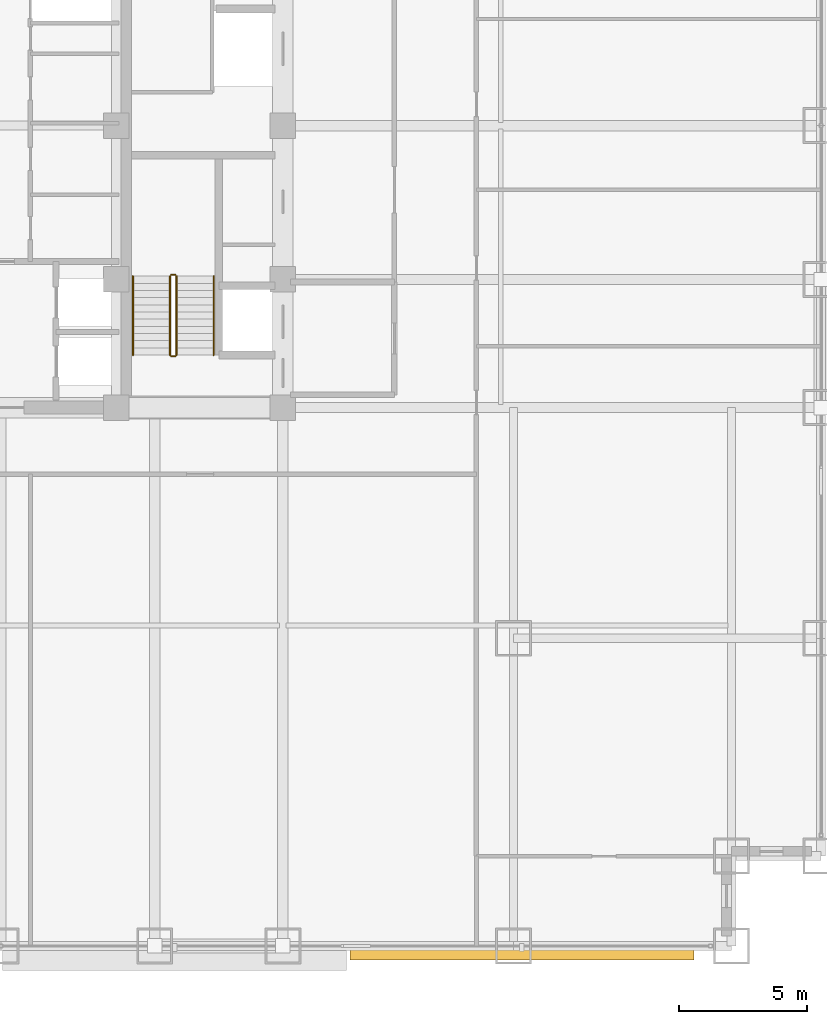
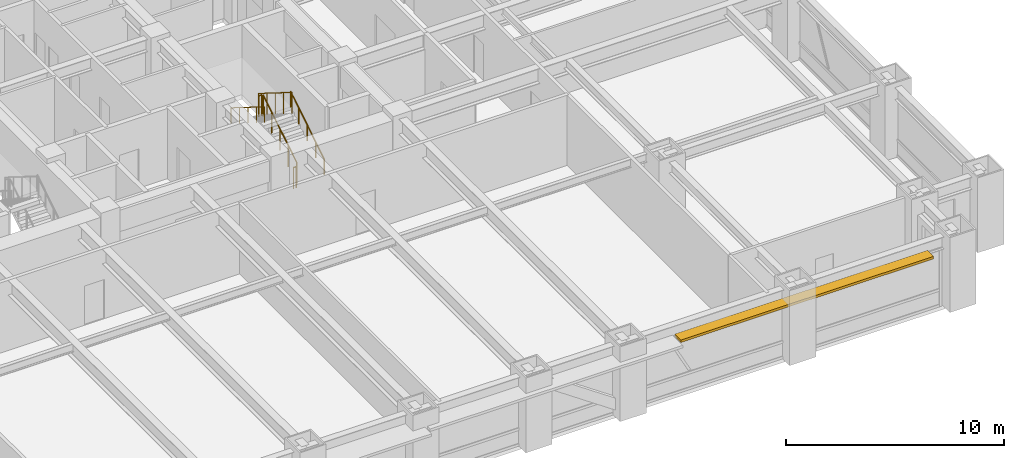
# One storey, part 30 of 32: 6 railings, 1 shading device.
"""IFC4 building model written with IfcOpenShell, lengths in metres."""

import ifcopenshell
import ifcopenshell.guid

model = None  # the IFC model being written
_history = None  # IfcOwnerHistory: only IFC2X3 demands one
_inside = {}  # id of a spatial element -> (the spatial element, [elements in it])
_under = {}  # id of a project, library or spatial element -> (it, [spatial elements below it])
_declared = {}  # id of a project -> (the project, [libraries it declares])
_typed = {}  # id of a type object -> (the type object, [elements of that type])
_made_of = {}  # id of a material, layer set ... -> (it, [elements and type objects made of it])


def new_model(schema):
    """Start an empty IFC model of exactly this schema.

    Asked for "IFC4X3", IfcOpenShell would pick the latest addendum, in which some entities
    have other attributes; the version numbers below select the first issue.
    IFC2X3 requires an IfcOwnerHistory on every rooted entity: one is made here for all.
    """
    global model, _history
    if schema == "IFC4X3":
        model = ifcopenshell.file(schema_version=(4, 3, 0, 0))
    else:
        model = ifcopenshell.file(schema=schema)
    _inside.clear()
    _under.clear()
    _declared.clear()
    _typed.clear()
    _made_of.clear()
    _history = None
    if model.schema == "IFC2X3":
        org = make("IfcOrganization", Name="unknown")
        user = make(
            "IfcPersonAndOrganization",
            ThePerson=make("IfcPerson", FamilyName="unknown"),
            TheOrganization=org,
        )
        app = make(
            "IfcApplication",
            ApplicationDeveloper=org,
            Version="unknown",
            ApplicationFullName="unknown",
            ApplicationIdentifier="unknown",
        )
        _history = make(
            "IfcOwnerHistory",
            OwningUser=user,
            OwningApplication=app,
            ChangeAction="ADDED",
            CreationDate=0,
        )
    return model


def make(cls, **values):
    """One entity of the class cls with the attributes given. An attribute that is None is left unset."""
    return model.create_entity(
        cls, **{name: value for name, value in values.items() if value is not None}
    )


def rooted(cls, **values):
    """An entity with a GlobalId (a new one), such as an element, a storey or a relation."""
    return make(cls, GlobalId=ifcopenshell.guid.new(), OwnerHistory=_history, **values)


def si_unit(unit_type, name, prefix=None):
    """IfcSIUnit, for example si_unit("LENGTHUNIT", "METRE", prefix="MILLI")."""
    return make("IfcSIUnit", UnitType=unit_type, Prefix=prefix, Name=name)


def assignment(units):
    """IfcUnitAssignment: the units of a project."""
    return None if units is None else make("IfcUnitAssignment", Units=units)


def point(xyz):
    """IfcCartesianPoint."""
    return None if xyz is None else make("IfcCartesianPoint", Coordinates=xyz)


def direction(xyz):
    """IfcDirection."""
    return None if xyz is None else make("IfcDirection", DirectionRatios=xyz)


def frame(location, z_axis=None, x_axis=None):
    """IfcAxis2Placement3D, a coordinate frame: its origin and axes. An axis left out is left unset."""
    return make(
        "IfcAxis2Placement3D",
        Location=point(location),
        Axis=direction(z_axis),
        RefDirection=direction(x_axis),
    )


def frame_2d(location, x_axis=None):
    """IfcAxis2Placement2D, a coordinate frame in the plane: its origin and x axis."""
    return make(
        "IfcAxis2Placement2D", Location=point(location), RefDirection=direction(x_axis)
    )


def origin():
    """The frame at (0, 0, 0) with its axes left unset."""
    return frame((0.0, 0.0, 0.0))


def origin_2d():
    """The frame at (0, 0) in the plane with its x axis left unset."""
    return frame_2d((0.0, 0.0))


def place(relative_to, where):
    """IfcLocalPlacement: puts the frame where relative to a parent placement (None: the world)."""
    return make(
        "IfcLocalPlacement", PlacementRelTo=relative_to, RelativePlacement=where
    )


def context(
    kind, dimensions, precision=None, world=None, true_north=None, identifier=None
):
    """IfcGeometricRepresentationContext, for example the 3D "Model" context."""
    return make(
        "IfcGeometricRepresentationContext",
        ContextIdentifier=identifier,
        ContextType=kind,
        CoordinateSpaceDimension=dimensions,
        Precision=precision,
        WorldCoordinateSystem=world,
        TrueNorth=true_north,
    )


def subcontext(parent, identifier, kind, view, scale=None):
    """IfcGeometricRepresentationSubContext, for example "Body" below "Model"."""
    return make(
        "IfcGeometricRepresentationSubContext",
        ContextIdentifier=identifier,
        ContextType=kind,
        ParentContext=parent,
        TargetScale=scale,
        TargetView=view,
    )


def project(units=None, contexts=None):
    """IfcProject with its units and contexts."""
    return rooted(
        "IfcProject",
        Name="project",
        RepresentationContexts=contexts,
        UnitsInContext=assignment(units),
    )


def spatial(cls, under=None, at=None, **own):
    """A site, building, storey or space (cls), placed at a placement, below another one or the project."""
    s = rooted(cls, ObjectPlacement=at, **own)
    if under is not None:
        _under.setdefault(under.id(), (under, []))[1].append(s)
    return s


def profile(cls, at=None, kind="AREA", **sizes):
    """A parametric profile (cls). Its sizes go by their IFC names, for example OverallWidth=200.0."""
    return make(cls, ProfileType=kind, Position=at, **sizes)


def rectangle(**sizes):
    """IfcRectangleProfileDef."""
    return profile("IfcRectangleProfileDef", **sizes)


def circle(**sizes):
    """IfcCircleProfileDef."""
    return profile("IfcCircleProfileDef", **sizes)


def extrude(swept, where, along, depth):
    """IfcExtrudedAreaSolid: the profile swept, set in the frame where, extruded along a direction by depth."""
    return make(
        "IfcExtrudedAreaSolid",
        SweptArea=swept,
        Position=where,
        ExtrudedDirection=direction(along),
        Depth=depth,
    )


def shape(context_of_items, identifier, shape_type, items):
    """IfcShapeRepresentation: the items that make up one representation, for example the "Body"."""
    return make(
        "IfcShapeRepresentation",
        ContextOfItems=context_of_items,
        RepresentationIdentifier=identifier,
        RepresentationType=shape_type,
        Items=items,
    )


def source(mapping_origin, context_of_items, identifier, shape_type, items):
    """IfcRepresentationMap: a shape defined once, which mapped items show again and again."""
    return make(
        "IfcRepresentationMap",
        MappingOrigin=mapping_origin,
        MappedRepresentation=shape(context_of_items, identifier, shape_type, items),
    )


def transform(
    local_origin,
    x_axis=None,
    y_axis=None,
    z_axis=None,
    scale=None,
    scale2=None,
    scale3=None,
    uniform=True,
):
    """IfcCartesianTransformationOperator3D, or its non-uniform kind. x_axis, y_axis, z_axis: its Axis1, 2, 3."""
    if uniform:
        return make(
            "IfcCartesianTransformationOperator3D",
            Axis1=direction(x_axis),
            Axis2=direction(y_axis),
            LocalOrigin=point(local_origin),
            Scale=scale,
            Axis3=direction(z_axis),
        )
    return make(
        "IfcCartesianTransformationOperator3DnonUniform",
        Axis1=direction(x_axis),
        Axis2=direction(y_axis),
        LocalOrigin=point(local_origin),
        Scale=scale,
        Axis3=direction(z_axis),
        Scale2=scale2,
        Scale3=scale3,
    )


def mapped(mapping_source, mapping_target):
    """IfcMappedItem: shows the shape of a source again, moved by a transform."""
    return make(
        "IfcMappedItem", MappingSource=mapping_source, MappingTarget=mapping_target
    )


def material(Name=None, Category=None):
    """IfcMaterial."""
    return make("IfcMaterial", Name=Name, Category=Category)


def layer(
    of_material, thickness, ventilated=None, Name=None, Category=None, Priority=None
):
    """IfcMaterialLayer: one layer of a wall or slab, of a material (None: an air gap)."""
    return make(
        "IfcMaterialLayer",
        Material=of_material,
        LayerThickness=thickness,
        IsVentilated=ventilated,
        Name=Name,
        Category=Category,
        Priority=Priority,
    )


def layer_set(layers, Name=None):
    """IfcMaterialLayerSet."""
    return make("IfcMaterialLayerSet", MaterialLayers=layers, LayerSetName=Name)


def made_of(thing, what):
    """Note that an element or type object is made of a material, layer set ...; save() writes the relation."""
    if what is not None:
        _made_of.setdefault(what.id(), (what, []))[1].append(thing)
    return thing


def type_object(cls, material=None, **own):
    """A type object (cls), such as IfcWallType, which elements share."""
    return made_of(rooted(cls, **own), material)


def element(
    cls,
    number,
    at=None,
    inside=None,
    cuts=None,
    type_object=None,
    material=None,
    context=None,
    identifier="Body",
    shape_type=None,
    held_by="IfcProductDefinitionShape",
    body=None,
    shapes=None,
    **own,
):
    """One element of the class cls, such as IfcWall. Its Tag is "e" and its number.

    at: its placement. inside: the storey or other place that contains it. cuts: it is an
    opening in that element (IfcRelVoidsElement). A single representation is given by context,
    identifier, shape_type and body (its items); several are given by shapes. held_by: the class
    of the entity that holds the representations. save() writes the other relations.
    """
    e = rooted(cls, Tag="e%d" % number, ObjectPlacement=at, **own)
    if body is not None:
        shapes = [shape(context, identifier, shape_type, body)]
    if shapes is not None:
        e.Representation = make(held_by, Representations=shapes)
    if inside is not None:
        _inside.setdefault(inside.id(), (inside, []))[1].append(e)
    if cuts is not None:
        rooted(
            "IfcRelVoidsElement", RelatingBuildingElement=cuts, RelatedOpeningElement=e
        )
    if type_object is not None:
        _typed.setdefault(type_object.id(), (type_object, []))[1].append(e)
    return made_of(e, material)


def aggregate(whole, parts):
    """IfcRelAggregates: a whole, such as a stair, and the parts it consists of."""
    return rooted("IfcRelAggregates", RelatingObject=whole, RelatedObjects=parts)


def save(model, path):
    """Write the relations noted so far, then the file.

    IfcRelAggregates (storeys below a building ...), IfcRelContainedInSpatialStructure (elements
    in a storey), IfcRelDefinesByType, IfcRelAssociatesMaterial and IfcRelDeclares: one each for
    every whole, place, type object, material and project.
    """
    for whole, parts in _under.values():
        aggregate(whole, parts)
    for where, things in _inside.values():
        rooted(
            "IfcRelContainedInSpatialStructure",
            RelatedElements=things,
            RelatingStructure=where,
        )
    for kind, things in _typed.values():
        rooted("IfcRelDefinesByType", RelatedObjects=things, RelatingType=kind)
    for what, things in _made_of.values():
        rooted("IfcRelAssociatesMaterial", RelatedObjects=things, RelatingMaterial=what)
    for by, libraries in _declared.values():
        rooted("IfcRelDeclares", RelatingContext=by, RelatedDefinitions=libraries)
    model.write(path)


model = new_model("IFC4")

# Units and contexts
model_context = context("Model", 3, precision=1e-05, world=origin(), true_north=direction((0.0, 1.0)))
body_context = subcontext(model_context, "Body", "Model", "MODEL_VIEW")
ifc_project = project(units=[si_unit("LENGTHUNIT", "METRE"), si_unit("AREAUNIT", "SQUARE_METRE"), si_unit("VOLUMEUNIT", "CUBIC_METRE"), si_unit("PLANEANGLEUNIT", "RADIAN"), si_unit("MASSUNIT", "GRAM", prefix="KILO")], contexts=[model_context])

# Site, building, storey
site_placement = place(None, origin())
site = spatial("IfcSite", under=ifc_project, at=site_placement, CompositionType="ELEMENT")
building_placement = place(site_placement, origin())
building = spatial("IfcBuilding", under=site, at=building_placement, Name="Khorayat Bourse Tower", CompositionType="ELEMENT")
storey_placement = place(building_placement, frame((0.0, 0.0, 70.39990234375)))
storey = spatial("IfcBuildingStorey", under=building, at=storey_placement, Name="L15", CompositionType="ELEMENT", Elevation=70.39990234375)

# Shading device
ifc_material_1 = material(Name="Precast concrete C45/55", Category="concrete")
ifc_layer = layer(ifc_material_1, 0.139892578125)
ifc_layer_set = layer_set([ifc_layer], Name="Precast concrete C45/55")
shading_device_type = type_object("IfcShadingDeviceType", Name="SHD-WAVE-TRAY-B", PredefinedType="USERDEFINED", material=ifc_layer_set)
shared_shape_1 = source(origin(), body_context, "Body", "SweptSolid", [
    extrude(rectangle(XDim=13.409912109375, YDim=0.56689453125, at=origin_2d()), origin(), (0.0, 0.0, 1.0), 0.139892578125),
])
shading_device_placement = place(storey_placement, frame((20.324951171875, -32.263427734375, 3.18994140625), z_axis=(0.0, 0.0, 1.0), x_axis=(1.0, 0.0, 0.0)))
element("IfcShadingDevice", 1, at=shading_device_placement, inside=storey, type_object=shading_device_type, Name="L15 Sinusoidal Wave Sunshade Tray S-4", ObjectType="SUNSHADE", PredefinedType="USERDEFINED", context=body_context, shape_type="MappedRepresentation", body=[
    mapped(shared_shape_1, transform((0.0, 0.0, 0.0), scale=1.0)),
])

# Railings
ifc_material_2 = material(Name="Powder-coated steel balustrade", Category="steel")
railing_type_1 = type_object("IfcRailingType", Name="RLG-GUARD-1200", PredefinedType="GUARDRAIL", material=ifc_material_2)
shared_shape_2 = source(origin(), body_context, "Body", "SweptSolid", [
    extrude(circle(Radius=0.02392578125, at=origin_2d()), frame((0.0, 0.0, 1.17578125), z_axis=(-1.0, 0.0, 0.0), x_axis=(0.0, -1.0, 0.0)), (0.0, 0.0, 1.0), 0.150146484375),
    extrude(circle(Radius=0.02099609375, at=origin_2d()), origin(), (0.0, 0.0, 1.0), 1.15185546875),
    extrude(circle(Radius=0.02099609375, at=origin_2d()), frame((-0.150146484375, 0.0, 0.0)), (0.0, 0.0, 1.0), 1.15185546875),
])
for number, where, name in (
    (2, (6.800048828125, -5.820068359375, 2.10009765625), "L15 ST-3 stair guard 2"),
    (3, (6.800048828125, -9.0, 0.0), "L15 ST-3 stair guard 4"),
):
    element("IfcRailing", number, at=place(storey_placement, frame(where)), inside=storey, type_object=railing_type_1, Name=name, PredefinedType="GUARDRAIL", context=body_context, shape_type="MappedRepresentation", body=[
        mapped(shared_shape_2, transform((0.0, 0.0, 0.0), scale=1.0)),
    ])
shared_shape_3 = source(origin(), body_context, "Body", "SweptSolid", [
    extrude(circle(Radius=0.02392578125, at=origin_2d()), frame((0.0, 0.0, 1.17578125), z_axis=(0.0, 0.847979421464, 0.530029150871), x_axis=(-1.0, 0.0, 0.0)), (0.0, 0.0, 1.0), 3.632080078125),
    extrude(circle(Radius=0.02099609375, at=origin_2d()), origin(), (0.0, 0.0, 1.0), 1.15185546875),
    extrude(circle(Radius=0.02099609375, at=origin_2d()), frame((0.0, 0.77001953125, 0.481201171875)), (0.0, 0.0, 1.0), 1.15185546875),
    extrude(circle(Radius=0.02099609375, at=origin_2d()), frame((0.0, 1.5400390625, 0.96240234375)), (0.0, 0.0, 1.0), 1.15185546875),
    extrude(circle(Radius=0.02099609375, at=origin_2d()), frame((0.0, 2.309814453125, 1.44384765625)), (0.0, 0.0, 1.0), 1.15185546875),
    extrude(circle(Radius=0.02099609375, at=origin_2d()), frame((0.0, 3.079833984375, 1.925048828125)), (0.0, 0.0, 1.0), 1.15185546875),
])
railing_1_placement = place(storey_placement, frame((6.85009765625, -8.949951171875, 0.175048828125)))
element("IfcRailing", 4, at=railing_1_placement, inside=storey, type_object=railing_type_1, Name="L15 ST-3 stair guard 1", PredefinedType="GUARDRAIL", context=body_context, shape_type="MappedRepresentation", body=[
    mapped(shared_shape_3, transform((0.0, 0.0, 0.0), scale=1.0)),
])
shared_shape_4 = source(origin(), body_context, "Body", "SweptSolid", [
    extrude(circle(Radius=0.02392578125, at=origin_2d()), frame((0.0, 0.0, 1.17578125), z_axis=(0.0, -0.847979421464, 0.530029150871), x_axis=(1.0, 0.0, 0.0)), (0.0, 0.0, 1.0), 3.632080078125),
    extrude(circle(Radius=0.02099609375, at=origin_2d()), origin(), (0.0, 0.0, 1.0), 1.15185546875),
    extrude(circle(Radius=0.02099609375, at=origin_2d()), frame((0.0, -0.77001953125, 0.481201171875)), (0.0, 0.0, 1.0), 1.15185546875),
    extrude(circle(Radius=0.02099609375, at=origin_2d()), frame((0.0, -1.5400390625, 0.96240234375)), (0.0, 0.0, 1.0), 1.15185546875),
    extrude(circle(Radius=0.02099609375, at=origin_2d()), frame((0.0, -2.309814453125, 1.44384765625)), (0.0, 0.0, 1.0), 1.15185546875),
    extrude(circle(Radius=0.02099609375, at=origin_2d()), frame((0.0, -3.079833984375, 1.925048828125)), (0.0, 0.0, 1.0), 1.15185546875),
])
railing_2_placement = place(storey_placement, frame((6.60009765625, -5.8701171875, 2.275146484375)))
element("IfcRailing", 5, at=railing_2_placement, inside=storey, type_object=railing_type_1, Name="L15 ST-3 stair guard 3", PredefinedType="GUARDRAIL", context=body_context, shape_type="MappedRepresentation", body=[
    mapped(shared_shape_4, transform((0.0, 0.0, 0.0), scale=1.0)),
])
ifc_material_3 = material(Name="Brushed bronze stainless-steel handrail", Category="steel")
railing_type_2 = type_object("IfcRailingType", Name="RLG-HAND-900", PredefinedType="HANDRAIL", material=ifc_material_3)
shared_shape_5 = source(origin(), body_context, "Body", "SweptSolid", [
    extrude(circle(Radius=0.02392578125, at=origin_2d()), frame((0.0, 0.0, 0.8759765625), z_axis=(0.0, 0.847979421464, 0.530029150871), x_axis=(-1.0, 0.0, 0.0)), (0.0, 0.0, 1.0), 3.632080078125),
    extrude(circle(Radius=0.02099609375, at=origin_2d()), origin(), (0.0, 0.0, 1.0), 0.851806640625),
    extrude(circle(Radius=0.02099609375, at=origin_2d()), frame((0.0, 0.77001953125, 0.481201171875)), (0.0, 0.0, 1.0), 0.851806640625),
    extrude(circle(Radius=0.02099609375, at=origin_2d()), frame((0.0, 1.5400390625, 0.96240234375)), (0.0, 0.0, 1.0), 0.851806640625),
    extrude(circle(Radius=0.02099609375, at=origin_2d()), frame((0.0, 2.309814453125, 1.44384765625)), (0.0, 0.0, 1.0), 0.851806640625),
    extrude(circle(Radius=0.02099609375, at=origin_2d()), frame((0.0, 3.079833984375, 1.925048828125)), (0.0, 0.0, 1.0), 0.851806640625),
])
railing_3_placement = place(storey_placement, frame((8.300048828125, -8.949951171875, 0.175048828125)))
element("IfcRailing", 6, at=railing_3_placement, inside=storey, type_object=railing_type_2, Name="L15 ST-3 stair handrail 1", PredefinedType="HANDRAIL", context=body_context, shape_type="MappedRepresentation", body=[
    mapped(shared_shape_5, transform((0.0, 0.0, 0.0), scale=1.0)),
])
shared_shape_6 = source(origin(), body_context, "Body", "SweptSolid", [
    extrude(circle(Radius=0.02392578125, at=origin_2d()), frame((0.0, 0.0, 0.8759765625), z_axis=(0.0, -0.847979421464, 0.530029150871), x_axis=(1.0, 0.0, 0.0)), (0.0, 0.0, 1.0), 3.632080078125),
    extrude(circle(Radius=0.02099609375, at=origin_2d()), origin(), (0.0, 0.0, 1.0), 0.851806640625),
    extrude(circle(Radius=0.02099609375, at=origin_2d()), frame((0.0, -0.77001953125, 0.481201171875)), (0.0, 0.0, 1.0), 0.851806640625),
    extrude(circle(Radius=0.02099609375, at=origin_2d()), frame((0.0, -1.5400390625, 0.96240234375)), (0.0, 0.0, 1.0), 0.851806640625),
    extrude(circle(Radius=0.02099609375, at=origin_2d()), frame((0.0, -2.309814453125, 1.44384765625)), (0.0, 0.0, 1.0), 0.851806640625),
    extrude(circle(Radius=0.02099609375, at=origin_2d()), frame((0.0, -3.079833984375, 1.925048828125)), (0.0, 0.0, 1.0), 0.851806640625),
])
railing_4_placement = place(storey_placement, frame((5.14990234375, -5.8701171875, 2.275146484375)))
element("IfcRailing", 7, at=railing_4_placement, inside=storey, type_object=railing_type_2, Name="L15 ST-3 stair handrail 2", PredefinedType="HANDRAIL", context=body_context, shape_type="MappedRepresentation", body=[
    mapped(shared_shape_6, transform((0.0, 0.0, 0.0), scale=1.0)),
])

save(model, "model.ifc")
